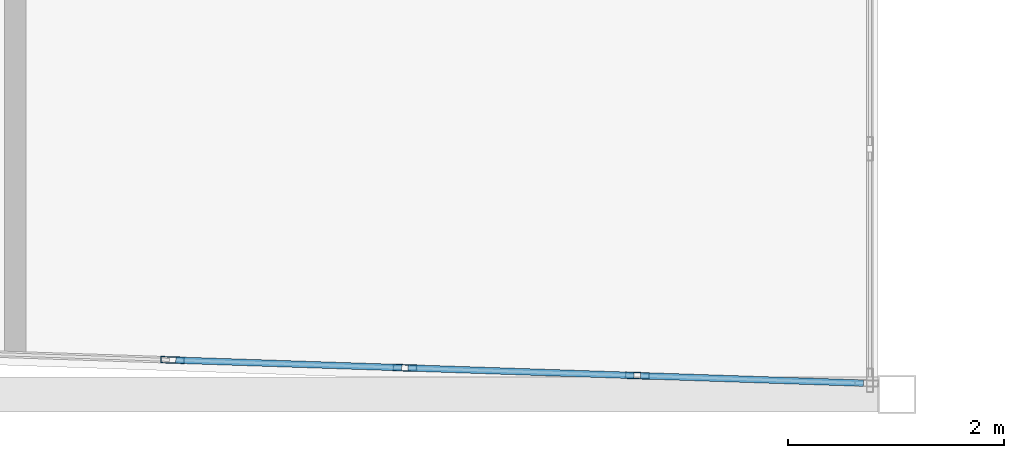
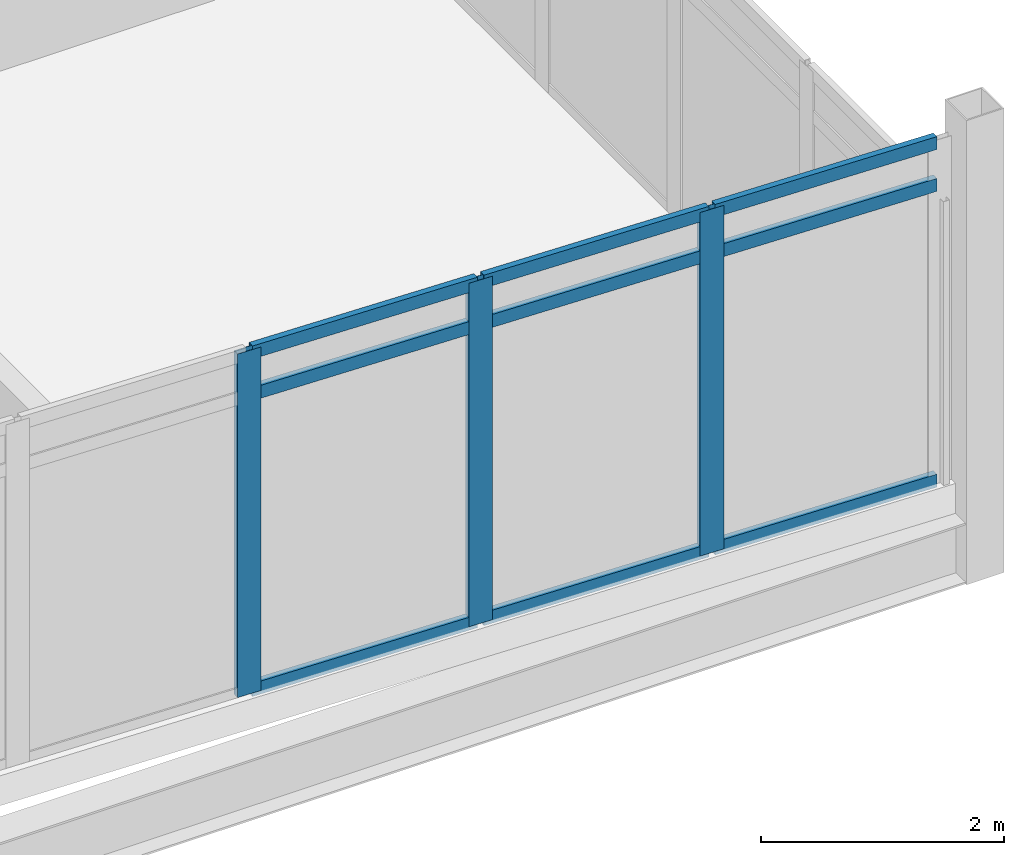
# One storey, part 7 of 29: 12 members, 1 element without a shape of its own.
"""IFC4 building model written with IfcOpenShell, lengths in metres."""

from ifc_helpers import new_model, si_unit, direction, frame, origin, origin_2d, place, context, subcontext, project, spatial, hollow_rectangle, extrude, material, material_profile, profile_set, type_object, element, aggregate, save


model = new_model("IFC4")

# Units and contexts
model_context = context("Model", 3, precision=1e-05, world=origin(), true_north=direction((0.0, 1.0)))
body_context = subcontext(model_context, "Body", "Model", "MODEL_VIEW")
ifc_project = project(units=[si_unit("LENGTHUNIT", "METRE"), si_unit("AREAUNIT", "SQUARE_METRE"), si_unit("VOLUMEUNIT", "CUBIC_METRE"), si_unit("PLANEANGLEUNIT", "RADIAN"), si_unit("MASSUNIT", "GRAM", prefix="KILO")], contexts=[model_context])

# Site, building, storey
site_placement = place(None, origin())
site = spatial("IfcSite", under=ifc_project, at=site_placement, CompositionType="ELEMENT")
building_placement = place(site_placement, origin())
building = spatial("IfcBuilding", under=site, at=building_placement, Name="Ostrander Bayou Hotel Tower", CompositionType="ELEMENT")
storey_placement = place(building_placement, frame((0.0, 0.0, 205.75)))
storey = spatial("IfcBuildingStorey", under=building, at=storey_placement, Name="L51", CompositionType="ELEMENT", Elevation=205.75)

# Curtain wall, members
ifc_material_1 = material(Name="Aluminium and clear glass", Category="aluminium")
curtain_wall_type = type_object("IfcCurtainWallType", Name="CW-BAR glazed wall", PredefinedType="NOTDEFINED", material=ifc_material_1)
curtain_wall_placement = place(storey_placement, origin())
curtain_wall = element("IfcCurtainWall", 1, at=curtain_wall_placement, inside=storey, type_object=curtain_wall_type, Name="CW-BAR L51:SB4S:T", PredefinedType="NOTDEFINED")
ifc_material_2 = material(Name="Aluminium", Category="aluminium")
ifc_material_profile_1 = material_profile(ifc_material_2, hollow_rectangle(XDim=0.06005859375, YDim=0.219970703125, WallThickness=0.00390625, at=origin_2d()))
ifc_profile_set_1 = profile_set([ifc_material_profile_1], Name="Aluminium")
member_type_1 = type_object("IfcMemberType", Name="CW-BR mullion 60 x 220 mm", PredefinedType="MULLION", material=ifc_profile_set_1)
member_1_placement = place(storey_placement, frame((5.3896484375, -29.83056640625, 0.0), z_axis=(0.0, 0.0, 1.0), x_axis=(0.03350511268, 0.999438546097, 0.0)))
member_1 = element("IfcMember", 2, at=member_1_placement, type_object=member_type_1, Name="CW-BAR mullion 9", PredefinedType="MULLION", context=body_context, shape_type="SweptSolid", body=[
    extrude(hollow_rectangle(XDim=0.06005859375, YDim=0.219970703125, WallThickness=0.00390625, at=origin_2d()), origin(), (0.0, 0.0, 1.0), 3.449951171875),
])
member_2_placement = place(storey_placement, frame((7.54541015625, -29.903076171875, 0.0), z_axis=(0.0, 0.0, 1.0), x_axis=(0.03350511268, 0.999438546097, 0.0)))
member_2 = element("IfcMember", 3, at=member_2_placement, type_object=member_type_1, Name="CW-BAR mullion 10", PredefinedType="MULLION", context=body_context, shape_type="SweptSolid", body=[
    extrude(hollow_rectangle(XDim=0.06005859375, YDim=0.219970703125, WallThickness=0.00390625, at=origin_2d()), origin(), (0.0, 0.0, 1.0), 3.449951171875),
])
member_3_placement = place(storey_placement, frame((9.701416015625, -29.975341796875, 0.0), z_axis=(0.0, 0.0, 1.0), x_axis=(0.03350511268, 0.999438546097, 0.0)))
member_3 = element("IfcMember", 4, at=member_3_placement, type_object=member_type_1, Name="CW-BAR mullion 11", PredefinedType="MULLION", context=body_context, shape_type="SweptSolid", body=[
    extrude(hollow_rectangle(XDim=0.06005859375, YDim=0.219970703125, WallThickness=0.00390625, at=origin_2d()), origin(), (0.0, 0.0, 1.0), 3.449951171875),
])
ifc_material_3 = material(Name="Aluminium", Category="aluminium")
ifc_material_profile_2 = material_profile(ifc_material_3, hollow_rectangle(XDim=0.06005859375, YDim=0.1298828125, WallThickness=0.00390625, at=origin_2d()))
ifc_profile_set_2 = profile_set([ifc_material_profile_2], Name="Aluminium")
member_type_2 = type_object("IfcMemberType", Name="CW-BR transom 60 x 130 mm", PredefinedType="USERDEFINED", material=ifc_profile_set_2)
member_4_placement = place(storey_placement, frame((5.419677734375, -29.831787109375, 0.030029296875), z_axis=(0.999441672059, -0.033411736736, 0.0), x_axis=(0.033411736736, 0.999441672059, 0.0)))
member_4 = element("IfcMember", 5, at=member_4_placement, type_object=member_type_2, Name="CW-BAR transom 9.1", ObjectType="TRANSOM", PredefinedType="USERDEFINED", context=body_context, shape_type="SweptSolid", body=[
    extrude(hollow_rectangle(XDim=0.06005859375, YDim=0.1298828125, WallThickness=0.00390625, at=origin_2d()), origin(), (0.0, 0.0, 1.0), 2.09716796875),
])
member_5_placement = place(storey_placement, frame((5.419677734375, -29.831787109375, 3.0), z_axis=(0.999441672059, -0.033411736736, 0.0), x_axis=(0.033411736736, 0.999441672059, 0.0)))
member_5 = element("IfcMember", 6, at=member_5_placement, type_object=member_type_2, Name="CW-BAR transom 9.2", ObjectType="TRANSOM", PredefinedType="USERDEFINED", context=body_context, shape_type="SweptSolid", body=[
    extrude(hollow_rectangle(XDim=0.06005859375, YDim=0.1298828125, WallThickness=0.00390625, at=origin_2d()), origin(), (0.0, 0.0, 1.0), 2.09716796875),
])
member_6_placement = place(storey_placement, frame((5.419677734375, -29.831787109375, 3.419921875), z_axis=(0.999441672059, -0.033411736736, 0.0), x_axis=(0.033411736736, 0.999441672059, 0.0)))
member_6 = element("IfcMember", 7, at=member_6_placement, type_object=member_type_2, Name="CW-BAR transom 9.3", ObjectType="TRANSOM", PredefinedType="USERDEFINED", context=body_context, shape_type="SweptSolid", body=[
    extrude(hollow_rectangle(XDim=0.06005859375, YDim=0.1298828125, WallThickness=0.00390625, at=origin_2d()), origin(), (0.0, 0.0, 1.0), 2.09716796875),
])
member_7_placement = place(storey_placement, frame((7.575439453125, -29.904052734375, 0.030029296875), z_axis=(0.999441672059, -0.033411736736, 0.0), x_axis=(0.033411736736, 0.999441672059, 0.0)))
member_7 = element("IfcMember", 8, at=member_7_placement, type_object=member_type_2, Name="CW-BAR transom 10.1", ObjectType="TRANSOM", PredefinedType="USERDEFINED", context=body_context, shape_type="SweptSolid", body=[
    extrude(hollow_rectangle(XDim=0.06005859375, YDim=0.1298828125, WallThickness=0.00390625, at=origin_2d()), origin(), (0.0, 0.0, 1.0), 2.09716796875),
])
member_8_placement = place(storey_placement, frame((7.575439453125, -29.904052734375, 3.0), z_axis=(0.999441672059, -0.033411736736, 0.0), x_axis=(0.033411736736, 0.999441672059, 0.0)))
member_8 = element("IfcMember", 9, at=member_8_placement, type_object=member_type_2, Name="CW-BAR transom 10.2", ObjectType="TRANSOM", PredefinedType="USERDEFINED", context=body_context, shape_type="SweptSolid", body=[
    extrude(hollow_rectangle(XDim=0.06005859375, YDim=0.1298828125, WallThickness=0.00390625, at=origin_2d()), origin(), (0.0, 0.0, 1.0), 2.09716796875),
])
member_9_placement = place(storey_placement, frame((7.575439453125, -29.904052734375, 3.419921875), z_axis=(0.999441672059, -0.033411736736, 0.0), x_axis=(0.033411736736, 0.999441672059, 0.0)))
member_9 = element("IfcMember", 10, at=member_9_placement, type_object=member_type_2, Name="CW-BAR transom 10.3", ObjectType="TRANSOM", PredefinedType="USERDEFINED", context=body_context, shape_type="SweptSolid", body=[
    extrude(hollow_rectangle(XDim=0.06005859375, YDim=0.1298828125, WallThickness=0.00390625, at=origin_2d()), origin(), (0.0, 0.0, 1.0), 2.09716796875),
])
member_10_placement = place(storey_placement, frame((9.7314453125, -29.976318359375, 0.030029296875), z_axis=(0.999441098501, -0.033428889124, 0.0), x_axis=(0.033428889124, 0.999441098501, 0.0)))
member_10 = element("IfcMember", 11, at=member_10_placement, type_object=member_type_2, Name="CW-BAR transom 11.1", ObjectType="TRANSOM", PredefinedType="USERDEFINED", context=body_context, shape_type="SweptSolid", body=[
    extrude(hollow_rectangle(XDim=0.06005859375, YDim=0.1298828125, WallThickness=0.00390625, at=origin_2d()), origin(), (0.0, 0.0, 1.0), 2.06689453125),
])
member_11_placement = place(storey_placement, frame((9.7314453125, -29.976318359375, 3.0), z_axis=(0.999441098501, -0.033428889124, 0.0), x_axis=(0.033428889124, 0.999441098501, 0.0)))
member_11 = element("IfcMember", 12, at=member_11_placement, type_object=member_type_2, Name="CW-BAR transom 11.2", ObjectType="TRANSOM", PredefinedType="USERDEFINED", context=body_context, shape_type="SweptSolid", body=[
    extrude(hollow_rectangle(XDim=0.06005859375, YDim=0.1298828125, WallThickness=0.00390625, at=origin_2d()), origin(), (0.0, 0.0, 1.0), 2.06689453125),
])
member_12_placement = place(storey_placement, frame((9.7314453125, -29.976318359375, 3.419921875), z_axis=(0.999441098501, -0.033428889124, 0.0), x_axis=(0.033428889124, 0.999441098501, 0.0)))
member_12 = element("IfcMember", 13, at=member_12_placement, type_object=member_type_2, Name="CW-BAR transom 11.3", ObjectType="TRANSOM", PredefinedType="USERDEFINED", context=body_context, shape_type="SweptSolid", body=[
    extrude(hollow_rectangle(XDim=0.06005859375, YDim=0.1298828125, WallThickness=0.00390625, at=origin_2d()), origin(), (0.0, 0.0, 1.0), 2.06689453125),
])
aggregate(curtain_wall, [member_1, member_2, member_3, member_4, member_5, member_6, member_7, member_8, member_9, member_10, member_11, member_12])

save(model, "model.ifc")
